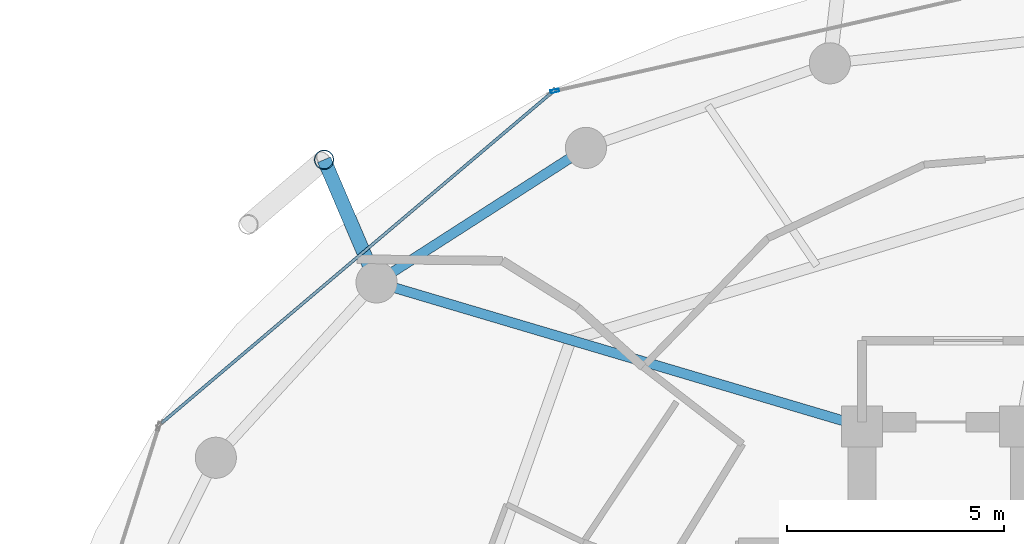
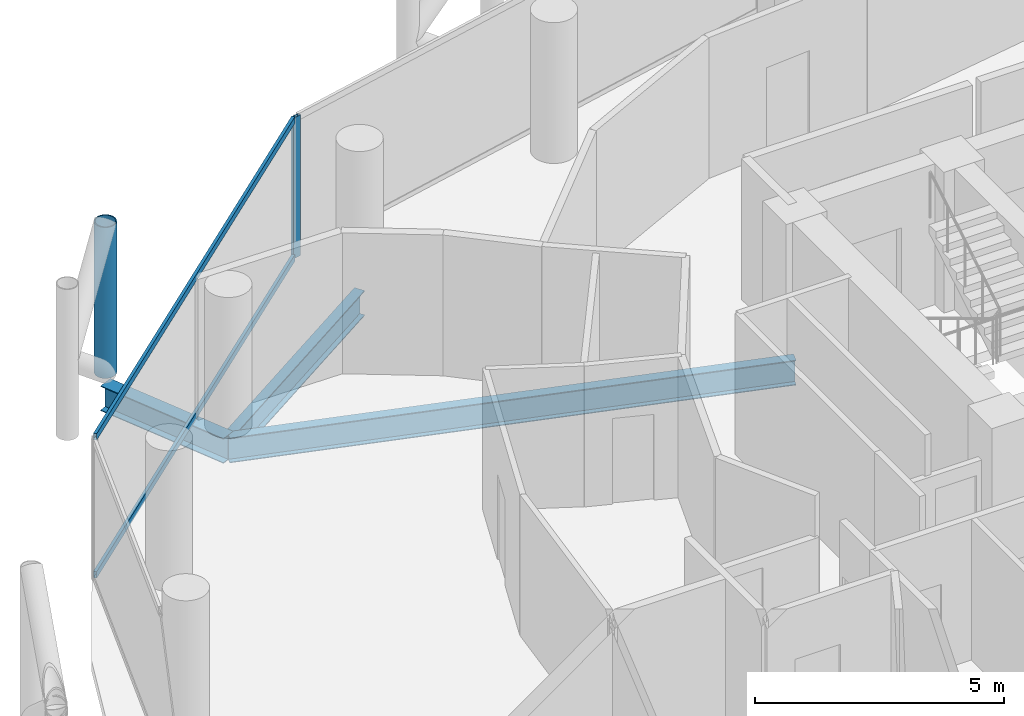
# One storey, part 14 of 26: 4 members, 3 beams, 2 elements without a shape of their own.
"""IFC4 building model written with IfcOpenShell, lengths in metres."""

import ifcopenshell
import ifcopenshell.guid

model = None  # the IFC model being written
_history = None  # IfcOwnerHistory: only IFC2X3 demands one
_inside = {}  # id of a spatial element -> (the spatial element, [elements in it])
_under = {}  # id of a project, library or spatial element -> (it, [spatial elements below it])
_declared = {}  # id of a project -> (the project, [libraries it declares])
_typed = {}  # id of a type object -> (the type object, [elements of that type])
_made_of = {}  # id of a material, layer set ... -> (it, [elements and type objects made of it])


def new_model(schema):
    """Start an empty IFC model of exactly this schema.

    Asked for "IFC4X3", IfcOpenShell would pick the latest addendum, in which some entities
    have other attributes; the version numbers below select the first issue.
    IFC2X3 requires an IfcOwnerHistory on every rooted entity: one is made here for all.
    """
    global model, _history
    if schema == "IFC4X3":
        model = ifcopenshell.file(schema_version=(4, 3, 0, 0))
    else:
        model = ifcopenshell.file(schema=schema)
    _inside.clear()
    _under.clear()
    _declared.clear()
    _typed.clear()
    _made_of.clear()
    _history = None
    if model.schema == "IFC2X3":
        org = make("IfcOrganization", Name="unknown")
        user = make(
            "IfcPersonAndOrganization",
            ThePerson=make("IfcPerson", FamilyName="unknown"),
            TheOrganization=org,
        )
        app = make(
            "IfcApplication",
            ApplicationDeveloper=org,
            Version="unknown",
            ApplicationFullName="unknown",
            ApplicationIdentifier="unknown",
        )
        _history = make(
            "IfcOwnerHistory",
            OwningUser=user,
            OwningApplication=app,
            ChangeAction="ADDED",
            CreationDate=0,
        )
    return model


def make(cls, **values):
    """One entity of the class cls with the attributes given. An attribute that is None is left unset."""
    return model.create_entity(
        cls, **{name: value for name, value in values.items() if value is not None}
    )


def rooted(cls, **values):
    """An entity with a GlobalId (a new one), such as an element, a storey or a relation."""
    return make(cls, GlobalId=ifcopenshell.guid.new(), OwnerHistory=_history, **values)


def si_unit(unit_type, name, prefix=None):
    """IfcSIUnit, for example si_unit("LENGTHUNIT", "METRE", prefix="MILLI")."""
    return make("IfcSIUnit", UnitType=unit_type, Prefix=prefix, Name=name)


def assignment(units):
    """IfcUnitAssignment: the units of a project."""
    return None if units is None else make("IfcUnitAssignment", Units=units)


def point(xyz):
    """IfcCartesianPoint."""
    return None if xyz is None else make("IfcCartesianPoint", Coordinates=xyz)


def direction(xyz):
    """IfcDirection."""
    return None if xyz is None else make("IfcDirection", DirectionRatios=xyz)


def frame(location, z_axis=None, x_axis=None):
    """IfcAxis2Placement3D, a coordinate frame: its origin and axes. An axis left out is left unset."""
    return make(
        "IfcAxis2Placement3D",
        Location=point(location),
        Axis=direction(z_axis),
        RefDirection=direction(x_axis),
    )


def frame_2d(location, x_axis=None):
    """IfcAxis2Placement2D, a coordinate frame in the plane: its origin and x axis."""
    return make(
        "IfcAxis2Placement2D", Location=point(location), RefDirection=direction(x_axis)
    )


def origin():
    """The frame at (0, 0, 0) with its axes left unset."""
    return frame((0.0, 0.0, 0.0))


def origin_2d():
    """The frame at (0, 0) in the plane with its x axis left unset."""
    return frame_2d((0.0, 0.0))


def place(relative_to, where):
    """IfcLocalPlacement: puts the frame where relative to a parent placement (None: the world)."""
    return make(
        "IfcLocalPlacement", PlacementRelTo=relative_to, RelativePlacement=where
    )


def context(
    kind, dimensions, precision=None, world=None, true_north=None, identifier=None
):
    """IfcGeometricRepresentationContext, for example the 3D "Model" context."""
    return make(
        "IfcGeometricRepresentationContext",
        ContextIdentifier=identifier,
        ContextType=kind,
        CoordinateSpaceDimension=dimensions,
        Precision=precision,
        WorldCoordinateSystem=world,
        TrueNorth=true_north,
    )


def subcontext(parent, identifier, kind, view, scale=None):
    """IfcGeometricRepresentationSubContext, for example "Body" below "Model"."""
    return make(
        "IfcGeometricRepresentationSubContext",
        ContextIdentifier=identifier,
        ContextType=kind,
        ParentContext=parent,
        TargetScale=scale,
        TargetView=view,
    )


def project(units=None, contexts=None):
    """IfcProject with its units and contexts."""
    return rooted(
        "IfcProject",
        Name="project",
        RepresentationContexts=contexts,
        UnitsInContext=assignment(units),
    )


def spatial(cls, under=None, at=None, **own):
    """A site, building, storey or space (cls), placed at a placement, below another one or the project."""
    s = rooted(cls, ObjectPlacement=at, **own)
    if under is not None:
        _under.setdefault(under.id(), (under, []))[1].append(s)
    return s


def profile(cls, at=None, kind="AREA", **sizes):
    """A parametric profile (cls). Its sizes go by their IFC names, for example OverallWidth=200.0."""
    return make(cls, ProfileType=kind, Position=at, **sizes)


def hollow_rectangle(**sizes):
    """IfcRectangleHollowProfileDef."""
    return profile("IfcRectangleHollowProfileDef", **sizes)


def hollow_circle(**sizes):
    """IfcCircleHollowProfileDef."""
    return profile("IfcCircleHollowProfileDef", **sizes)


def i_section(**sizes):
    """IfcIShapeProfileDef."""
    return profile("IfcIShapeProfileDef", **sizes)


def extrude(swept, where, along, depth):
    """IfcExtrudedAreaSolid: the profile swept, set in the frame where, extruded along a direction by depth."""
    return make(
        "IfcExtrudedAreaSolid",
        SweptArea=swept,
        Position=where,
        ExtrudedDirection=direction(along),
        Depth=depth,
    )


def shape(context_of_items, identifier, shape_type, items):
    """IfcShapeRepresentation: the items that make up one representation, for example the "Body"."""
    return make(
        "IfcShapeRepresentation",
        ContextOfItems=context_of_items,
        RepresentationIdentifier=identifier,
        RepresentationType=shape_type,
        Items=items,
    )


def material(Name=None, Category=None):
    """IfcMaterial."""
    return make("IfcMaterial", Name=Name, Category=Category)


def layer(
    of_material, thickness, ventilated=None, Name=None, Category=None, Priority=None
):
    """IfcMaterialLayer: one layer of a wall or slab, of a material (None: an air gap)."""
    return make(
        "IfcMaterialLayer",
        Material=of_material,
        LayerThickness=thickness,
        IsVentilated=ventilated,
        Name=Name,
        Category=Category,
        Priority=Priority,
    )


def layer_set(layers, Name=None):
    """IfcMaterialLayerSet."""
    return make("IfcMaterialLayerSet", MaterialLayers=layers, LayerSetName=Name)


def material_profile(
    of_material, cross_section, Name=None, Category=None, Priority=None
):
    """IfcMaterialProfile: a cross section and its material."""
    return make(
        "IfcMaterialProfile",
        Name=Name,
        Material=of_material,
        Profile=cross_section,
        Priority=Priority,
        Category=Category,
    )


def profile_set(profiles, Name=None, composite=None):
    """IfcMaterialProfileSet."""
    return make(
        "IfcMaterialProfileSet",
        Name=Name,
        MaterialProfiles=profiles,
        CompositeProfile=composite,
    )


def made_of(thing, what):
    """Note that an element or type object is made of a material, layer set ...; save() writes the relation."""
    if what is not None:
        _made_of.setdefault(what.id(), (what, []))[1].append(thing)
    return thing


def type_object(cls, material=None, **own):
    """A type object (cls), such as IfcWallType, which elements share."""
    return made_of(rooted(cls, **own), material)


def element(
    cls,
    number,
    at=None,
    inside=None,
    cuts=None,
    type_object=None,
    material=None,
    context=None,
    identifier="Body",
    shape_type=None,
    held_by="IfcProductDefinitionShape",
    body=None,
    shapes=None,
    **own,
):
    """One element of the class cls, such as IfcWall. Its Tag is "e" and its number.

    at: its placement. inside: the storey or other place that contains it. cuts: it is an
    opening in that element (IfcRelVoidsElement). A single representation is given by context,
    identifier, shape_type and body (its items); several are given by shapes. held_by: the class
    of the entity that holds the representations. save() writes the other relations.
    """
    e = rooted(cls, Tag="e%d" % number, ObjectPlacement=at, **own)
    if body is not None:
        shapes = [shape(context, identifier, shape_type, body)]
    if shapes is not None:
        e.Representation = make(held_by, Representations=shapes)
    if inside is not None:
        _inside.setdefault(inside.id(), (inside, []))[1].append(e)
    if cuts is not None:
        rooted(
            "IfcRelVoidsElement", RelatingBuildingElement=cuts, RelatedOpeningElement=e
        )
    if type_object is not None:
        _typed.setdefault(type_object.id(), (type_object, []))[1].append(e)
    return made_of(e, material)


def aggregate(whole, parts):
    """IfcRelAggregates: a whole, such as a stair, and the parts it consists of."""
    return rooted("IfcRelAggregates", RelatingObject=whole, RelatedObjects=parts)


def save(model, path):
    """Write the relations noted so far, then the file.

    IfcRelAggregates (storeys below a building ...), IfcRelContainedInSpatialStructure (elements
    in a storey), IfcRelDefinesByType, IfcRelAssociatesMaterial and IfcRelDeclares: one each for
    every whole, place, type object, material and project.
    """
    for whole, parts in _under.values():
        aggregate(whole, parts)
    for where, things in _inside.values():
        rooted(
            "IfcRelContainedInSpatialStructure",
            RelatedElements=things,
            RelatingStructure=where,
        )
    for kind, things in _typed.values():
        rooted("IfcRelDefinesByType", RelatedObjects=things, RelatingType=kind)
    for what, things in _made_of.values():
        rooted("IfcRelAssociatesMaterial", RelatedObjects=things, RelatingMaterial=what)
    for by, libraries in _declared.values():
        rooted("IfcRelDeclares", RelatingContext=by, RelatedDefinitions=libraries)
    model.write(path)


model = new_model("IFC4")

# Units and contexts
model_context = context("Model", 3, precision=1e-05, world=origin(), true_north=direction((0.0, 1.0)))
body_context = subcontext(model_context, "Body", "Model", "MODEL_VIEW")
ifc_project = project(units=[si_unit("LENGTHUNIT", "METRE"), si_unit("AREAUNIT", "SQUARE_METRE"), si_unit("VOLUMEUNIT", "CUBIC_METRE"), si_unit("PLANEANGLEUNIT", "RADIAN"), si_unit("MASSUNIT", "GRAM", prefix="KILO")], contexts=[model_context])

# Site, building, storey
site_placement = place(None, origin())
site = spatial("IfcSite", under=ifc_project, at=site_placement, CompositionType="ELEMENT")
building_placement = place(site_placement, origin())
building = spatial("IfcBuilding", under=site, at=building_placement, Name="Nuhasar Tower", CompositionType="ELEMENT")
storey_placement = place(building_placement, frame((0.0, 0.0, 173.75)))
storey = spatial("IfcBuildingStorey", under=building, at=storey_placement, Name="L42", CompositionType="ELEMENT", Elevation=173.75)

# Beams
ifc_material_1 = material(Name="Steel S355", Category="steel")
ifc_material_profile_1 = material_profile(ifc_material_1, i_section(OverallWidth=0.22900390625, OverallDepth=0.612060546875, WebThickness=0.011962890625, FlangeThickness=0.01953125, at=origin_2d()), Name="W24X84")
ifc_profile_set_1 = profile_set([ifc_material_profile_1], Name="Steel S355")
beam_type_1 = type_object("IfcBeamType", Name="BM-RAD-W24X84", PredefinedType="BEAM", material=ifc_profile_set_1)
beam_1_placement = place(storey_placement, frame((33.699951171875, 37.300048828125, -0.555908203125), z_axis=(-0.958746492721, 0.284262489076, 0.0), x_axis=(-0.284262489076, -0.958746492721, 0.0)))
element("IfcBeam", 1, at=beam_1_placement, inside=storey, type_object=beam_type_1, Name="L42 Radial Floor Girder 07", PredefinedType="BEAM", context=body_context, shape_type="SweptSolid", body=[
    extrude(i_section(OverallWidth=0.22900390625, OverallDepth=0.612060546875, WebThickness=0.011962890625, FlangeThickness=0.01953125, at=origin_2d()), origin(), (0.0, 0.0, 1.0), 11.693359375),
])
ifc_material_profile_2 = material_profile(ifc_material_1, i_section(OverallWidth=0.22998046875, OverallDepth=0.616943359375, WebThickness=0.01318359375, FlangeThickness=0.022216796875, at=origin_2d()), Name="W24X94")
ifc_profile_set_2 = profile_set([ifc_material_profile_2], Name="Steel S355")
beam_type_2 = type_object("IfcBeamType", Name="BM-RING-W24X94", PredefinedType="SPANDREL", material=ifc_profile_set_2)
beam_2_placement = place(storey_placement, frame((27.324951171875, 43.73095703125, -0.55908203125), z_axis=(-0.841327486207, -0.540525726448, 0.0), x_axis=(0.540525726448, -0.841327486207, 0.0)))
element("IfcBeam", 2, at=beam_2_placement, inside=storey, type_object=beam_type_2, Name="L42 Perimeter Ring Spandrel 09", PredefinedType="SPANDREL", context=body_context, shape_type="SweptSolid", body=[
    extrude(i_section(OverallWidth=0.22998046875, OverallDepth=0.616943359375, WebThickness=0.01318359375, FlangeThickness=0.022216796875, at=origin_2d()), origin(), (0.0, 0.0, 1.0), 5.748046875),
])
ifc_material_profile_3 = material_profile(ifc_material_1, i_section(OverallWidth=0.323974609375, OverallDepth=0.611083984375, WebThickness=0.0126953125, FlangeThickness=0.01904296875, at=origin_2d()), Name="W24X104")
ifc_profile_set_3 = profile_set([ifc_material_profile_3], Name="Steel S355")
beam_type_3 = type_object("IfcBeamType", Name="BM-TIE-W24X104", PredefinedType="BEAM", material=ifc_profile_set_3)
beam_3_placement = place(storey_placement, frame((22.489013671875, 40.6240234375, -0.554931640625), z_axis=(-0.39330721304, 0.919407111225, 0.0), x_axis=(-0.919407111225, -0.39330721304, 0.0)))
element("IfcBeam", 3, at=beam_3_placement, inside=storey, type_object=beam_type_3, Name="L42 Exoskeleton Node Tie Beam 05", PredefinedType="BEAM", context=body_context, shape_type="SweptSolid", body=[
    extrude(i_section(OverallWidth=0.323974609375, OverallDepth=0.611083984375, WebThickness=0.0126953125, FlangeThickness=0.01904296875, at=origin_2d()), origin(), (0.0, 0.0, 1.0), 3.081298828125),
])

# Curtain wall, member
ifc_material_2 = material(Name="Aluminium 6063-T6", Category="aluminium")
ifc_layer = layer(ifc_material_2, 0.199951171875)
ifc_layer_set = layer_set([ifc_layer], Name="Aluminium 6063-T6")
curtain_wall_type = type_object("IfcCurtainWallType", Name="CW-Z2-HTL", PredefinedType="NOTDEFINED", material=ifc_layer_set)
curtain_wall_1_placement = place(storey_placement, origin())
curtain_wall_1 = element("IfcCurtainWall", 4, at=curtain_wall_1_placement, inside=storey, type_object=curtain_wall_type, Name="L42 Unitised Curtain Wall 04", PredefinedType="NOTDEFINED")
ifc_material_profile_4 = material_profile(ifc_material_2, hollow_rectangle(XDim=0.070068359375, YDim=0.199951171875, WallThickness=0.0048828125, at=origin_2d()), Name="CWM-3")
ifc_profile_set_4 = profile_set([ifc_material_profile_4], Name="Aluminium 6063-T6")
member_type_1 = type_object("IfcMemberType", Name="CW-MUL-S3", PredefinedType="MULLION", material=ifc_profile_set_4)
member_1_placement = place(storey_placement, frame((26.604248046875, 45.045654296875, 0.0), z_axis=(0.0, 0.0, 1.0), x_axis=(0.22139729566, -0.975183694221, 0.0)))
member_1 = element("IfcMember", 5, at=member_1_placement, type_object=member_type_1, Name="CW-Z2 mullion 2", PredefinedType="MULLION", context=body_context, shape_type="SweptSolid", body=[
    extrude(hollow_rectangle(XDim=0.070068359375, YDim=0.199951171875, WallThickness=0.0048828125, at=origin_2d()), origin(), (0.0, 0.0, 1.0), 3.449951171875),
])
aggregate(curtain_wall_1, [member_1])

# Curtain wall, members
curtain_wall_2_placement = place(storey_placement, origin())
curtain_wall_2 = element("IfcCurtainWall", 6, at=curtain_wall_2_placement, inside=storey, type_object=curtain_wall_type, Name="L42 Unitised Curtain Wall 05", PredefinedType="NOTDEFINED")
ifc_material_profile_5 = material_profile(ifc_material_2, hollow_rectangle(XDim=0.070068359375, YDim=0.159912109375, WallThickness=0.00439453125, at=origin_2d()), Name="CWT-3")
ifc_profile_set_5 = profile_set([ifc_material_profile_5], Name="Aluminium 6063-T6")
member_type_2 = type_object("IfcMemberType", Name="CW-TRN-S3", PredefinedType="USERDEFINED", material=ifc_profile_set_5)
member_2_placement = place(storey_placement, frame((26.5166015625, 44.99267578125, 0.034912109375), z_axis=(-0.763023915269, -0.646370253592, 0.0), x_axis=(0.646370253592, -0.763023915269, 0.0)))
member_2 = element("IfcMember", 7, at=member_2_placement, type_object=member_type_2, Name="CW-Z2 transom 1.1", ObjectType="TRANSOM", PredefinedType="USERDEFINED", context=body_context, shape_type="SweptSolid", body=[
    extrude(hollow_rectangle(XDim=0.070068359375, YDim=0.159912109375, WallThickness=0.00439453125, at=origin_2d()), origin(), (0.0, 0.0, 1.0), 11.784912109375),
])
member_3_placement = place(storey_placement, frame((26.5166015625, 44.99267578125, 3.4150390625), z_axis=(-0.763023915269, -0.646370253592, 0.0), x_axis=(0.646370253592, -0.763023915269, 0.0)))
member_3 = element("IfcMember", 8, at=member_3_placement, type_object=member_type_2, Name="CW-Z2 transom 1.2", ObjectType="TRANSOM", PredefinedType="USERDEFINED", context=body_context, shape_type="SweptSolid", body=[
    extrude(hollow_rectangle(XDim=0.070068359375, YDim=0.159912109375, WallThickness=0.00439453125, at=origin_2d()), origin(), (0.0, 0.0, 1.0), 11.784912109375),
])
aggregate(curtain_wall_2, [member_2, member_3])

# Member
ifc_material_3 = material(Name="Steel S460", Category="steel")
ifc_material_profile_6 = material_profile(ifc_material_3, hollow_circle(Radius=0.228515625, WallThickness=0.022216796875, at=origin_2d()), Name="HSS457X22.2")
ifc_profile_set_6 = profile_set([ifc_material_profile_6], Name="Steel S460")
member_type_3 = type_object("IfcMemberType", Name="EXO-BRONZE-457", PredefinedType="BRACE", material=ifc_profile_set_6)
member_4_placement = place(storey_placement, frame((21.277099609375, 43.45703125, 0.0), z_axis=(0.0, 0.0, 1.0), x_axis=(1.0, 0.0, 0.0)))
element("IfcMember", 9, at=member_4_placement, inside=storey, type_object=member_type_3, Name="L42 Exoskeleton Chord Column EC-05A", PredefinedType="BRACE", context=body_context, shape_type="SweptSolid", body=[
    extrude(hollow_circle(Radius=0.228515625, WallThickness=0.022216796875, at=origin_2d()), origin(), (0.0, 0.0, 1.0), 3.699951171875),
])

save(model, "model.ifc")
